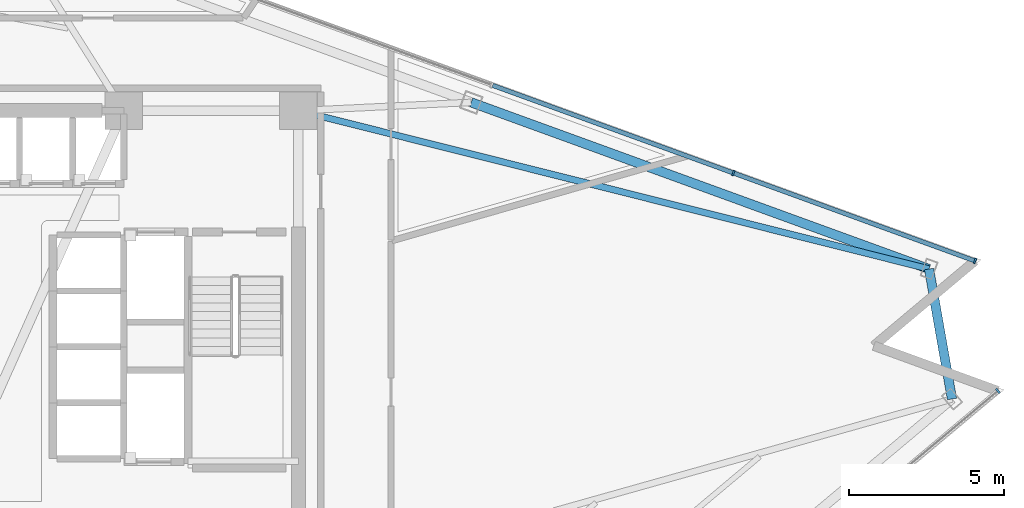
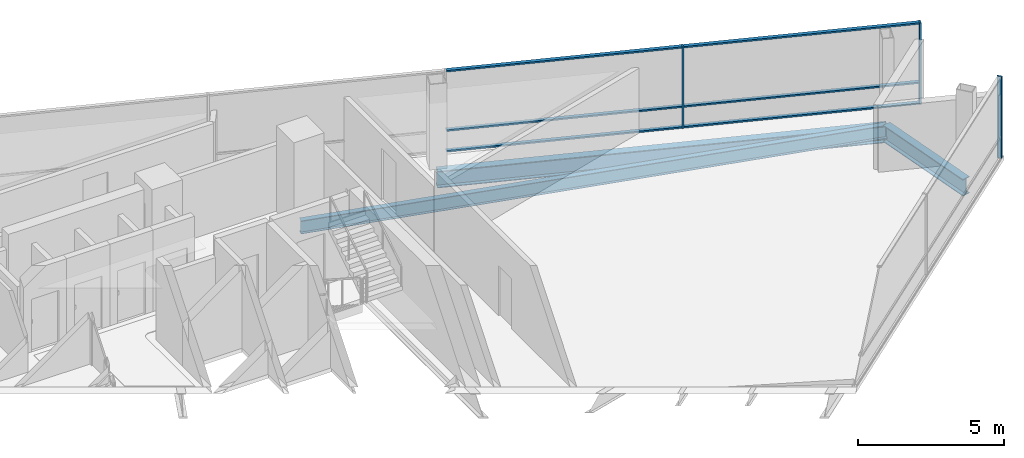
# One storey, part 8 of 15: 9 members, 3 beams, 2 elements without a shape of their own.
"""IFC4 building model written with IfcOpenShell, lengths in metres."""

import ifcopenshell
import ifcopenshell.guid

model = None  # the IFC model being written
_history = None  # IfcOwnerHistory: only IFC2X3 demands one
_inside = {}  # id of a spatial element -> (the spatial element, [elements in it])
_under = {}  # id of a project, library or spatial element -> (it, [spatial elements below it])
_declared = {}  # id of a project -> (the project, [libraries it declares])
_typed = {}  # id of a type object -> (the type object, [elements of that type])
_made_of = {}  # id of a material, layer set ... -> (it, [elements and type objects made of it])


def new_model(schema):
    """Start an empty IFC model of exactly this schema.

    Asked for "IFC4X3", IfcOpenShell would pick the latest addendum, in which some entities
    have other attributes; the version numbers below select the first issue.
    IFC2X3 requires an IfcOwnerHistory on every rooted entity: one is made here for all.
    """
    global model, _history
    if schema == "IFC4X3":
        model = ifcopenshell.file(schema_version=(4, 3, 0, 0))
    else:
        model = ifcopenshell.file(schema=schema)
    _inside.clear()
    _under.clear()
    _declared.clear()
    _typed.clear()
    _made_of.clear()
    _history = None
    if model.schema == "IFC2X3":
        org = make("IfcOrganization", Name="unknown")
        user = make(
            "IfcPersonAndOrganization",
            ThePerson=make("IfcPerson", FamilyName="unknown"),
            TheOrganization=org,
        )
        app = make(
            "IfcApplication",
            ApplicationDeveloper=org,
            Version="unknown",
            ApplicationFullName="unknown",
            ApplicationIdentifier="unknown",
        )
        _history = make(
            "IfcOwnerHistory",
            OwningUser=user,
            OwningApplication=app,
            ChangeAction="ADDED",
            CreationDate=0,
        )
    return model


def make(cls, **values):
    """One entity of the class cls with the attributes given. An attribute that is None is left unset."""
    return model.create_entity(
        cls, **{name: value for name, value in values.items() if value is not None}
    )


def rooted(cls, **values):
    """An entity with a GlobalId (a new one), such as an element, a storey or a relation."""
    return make(cls, GlobalId=ifcopenshell.guid.new(), OwnerHistory=_history, **values)


def si_unit(unit_type, name, prefix=None):
    """IfcSIUnit, for example si_unit("LENGTHUNIT", "METRE", prefix="MILLI")."""
    return make("IfcSIUnit", UnitType=unit_type, Prefix=prefix, Name=name)


def assignment(units):
    """IfcUnitAssignment: the units of a project."""
    return None if units is None else make("IfcUnitAssignment", Units=units)


def point(xyz):
    """IfcCartesianPoint."""
    return None if xyz is None else make("IfcCartesianPoint", Coordinates=xyz)


def direction(xyz):
    """IfcDirection."""
    return None if xyz is None else make("IfcDirection", DirectionRatios=xyz)


def frame(location, z_axis=None, x_axis=None):
    """IfcAxis2Placement3D, a coordinate frame: its origin and axes. An axis left out is left unset."""
    return make(
        "IfcAxis2Placement3D",
        Location=point(location),
        Axis=direction(z_axis),
        RefDirection=direction(x_axis),
    )


def frame_2d(location, x_axis=None):
    """IfcAxis2Placement2D, a coordinate frame in the plane: its origin and x axis."""
    return make(
        "IfcAxis2Placement2D", Location=point(location), RefDirection=direction(x_axis)
    )


def origin():
    """The frame at (0, 0, 0) with its axes left unset."""
    return frame((0.0, 0.0, 0.0))


def origin_2d():
    """The frame at (0, 0) in the plane with its x axis left unset."""
    return frame_2d((0.0, 0.0))


def place(relative_to, where):
    """IfcLocalPlacement: puts the frame where relative to a parent placement (None: the world)."""
    return make(
        "IfcLocalPlacement", PlacementRelTo=relative_to, RelativePlacement=where
    )


def context(
    kind, dimensions, precision=None, world=None, true_north=None, identifier=None
):
    """IfcGeometricRepresentationContext, for example the 3D "Model" context."""
    return make(
        "IfcGeometricRepresentationContext",
        ContextIdentifier=identifier,
        ContextType=kind,
        CoordinateSpaceDimension=dimensions,
        Precision=precision,
        WorldCoordinateSystem=world,
        TrueNorth=true_north,
    )


def subcontext(parent, identifier, kind, view, scale=None):
    """IfcGeometricRepresentationSubContext, for example "Body" below "Model"."""
    return make(
        "IfcGeometricRepresentationSubContext",
        ContextIdentifier=identifier,
        ContextType=kind,
        ParentContext=parent,
        TargetScale=scale,
        TargetView=view,
    )


def project(units=None, contexts=None):
    """IfcProject with its units and contexts."""
    return rooted(
        "IfcProject",
        Name="project",
        RepresentationContexts=contexts,
        UnitsInContext=assignment(units),
    )


def spatial(cls, under=None, at=None, **own):
    """A site, building, storey or space (cls), placed at a placement, below another one or the project."""
    s = rooted(cls, ObjectPlacement=at, **own)
    if under is not None:
        _under.setdefault(under.id(), (under, []))[1].append(s)
    return s


def profile(cls, at=None, kind="AREA", **sizes):
    """A parametric profile (cls). Its sizes go by their IFC names, for example OverallWidth=200.0."""
    return make(cls, ProfileType=kind, Position=at, **sizes)


def rectangle(**sizes):
    """IfcRectangleProfileDef."""
    return profile("IfcRectangleProfileDef", **sizes)


def i_section(**sizes):
    """IfcIShapeProfileDef."""
    return profile("IfcIShapeProfileDef", **sizes)


def extrude(swept, where, along, depth):
    """IfcExtrudedAreaSolid: the profile swept, set in the frame where, extruded along a direction by depth."""
    return make(
        "IfcExtrudedAreaSolid",
        SweptArea=swept,
        Position=where,
        ExtrudedDirection=direction(along),
        Depth=depth,
    )


def shape(context_of_items, identifier, shape_type, items):
    """IfcShapeRepresentation: the items that make up one representation, for example the "Body"."""
    return make(
        "IfcShapeRepresentation",
        ContextOfItems=context_of_items,
        RepresentationIdentifier=identifier,
        RepresentationType=shape_type,
        Items=items,
    )


def material(Name=None, Category=None):
    """IfcMaterial."""
    return make("IfcMaterial", Name=Name, Category=Category)


def layer(
    of_material, thickness, ventilated=None, Name=None, Category=None, Priority=None
):
    """IfcMaterialLayer: one layer of a wall or slab, of a material (None: an air gap)."""
    return make(
        "IfcMaterialLayer",
        Material=of_material,
        LayerThickness=thickness,
        IsVentilated=ventilated,
        Name=Name,
        Category=Category,
        Priority=Priority,
    )


def layer_set(layers, Name=None):
    """IfcMaterialLayerSet."""
    return make("IfcMaterialLayerSet", MaterialLayers=layers, LayerSetName=Name)


def material_profile(
    of_material, cross_section, Name=None, Category=None, Priority=None
):
    """IfcMaterialProfile: a cross section and its material."""
    return make(
        "IfcMaterialProfile",
        Name=Name,
        Material=of_material,
        Profile=cross_section,
        Priority=Priority,
        Category=Category,
    )


def profile_set(profiles, Name=None, composite=None):
    """IfcMaterialProfileSet."""
    return make(
        "IfcMaterialProfileSet",
        Name=Name,
        MaterialProfiles=profiles,
        CompositeProfile=composite,
    )


def made_of(thing, what):
    """Note that an element or type object is made of a material, layer set ...; save() writes the relation."""
    if what is not None:
        _made_of.setdefault(what.id(), (what, []))[1].append(thing)
    return thing


def type_object(cls, material=None, **own):
    """A type object (cls), such as IfcWallType, which elements share."""
    return made_of(rooted(cls, **own), material)


def element(
    cls,
    number,
    at=None,
    inside=None,
    cuts=None,
    type_object=None,
    material=None,
    context=None,
    identifier="Body",
    shape_type=None,
    held_by="IfcProductDefinitionShape",
    body=None,
    shapes=None,
    **own,
):
    """One element of the class cls, such as IfcWall. Its Tag is "e" and its number.

    at: its placement. inside: the storey or other place that contains it. cuts: it is an
    opening in that element (IfcRelVoidsElement). A single representation is given by context,
    identifier, shape_type and body (its items); several are given by shapes. held_by: the class
    of the entity that holds the representations. save() writes the other relations.
    """
    e = rooted(cls, Tag="e%d" % number, ObjectPlacement=at, **own)
    if body is not None:
        shapes = [shape(context, identifier, shape_type, body)]
    if shapes is not None:
        e.Representation = make(held_by, Representations=shapes)
    if inside is not None:
        _inside.setdefault(inside.id(), (inside, []))[1].append(e)
    if cuts is not None:
        rooted(
            "IfcRelVoidsElement", RelatingBuildingElement=cuts, RelatedOpeningElement=e
        )
    if type_object is not None:
        _typed.setdefault(type_object.id(), (type_object, []))[1].append(e)
    return made_of(e, material)


def aggregate(whole, parts):
    """IfcRelAggregates: a whole, such as a stair, and the parts it consists of."""
    return rooted("IfcRelAggregates", RelatingObject=whole, RelatedObjects=parts)


def save(model, path):
    """Write the relations noted so far, then the file.

    IfcRelAggregates (storeys below a building ...), IfcRelContainedInSpatialStructure (elements
    in a storey), IfcRelDefinesByType, IfcRelAssociatesMaterial and IfcRelDeclares: one each for
    every whole, place, type object, material and project.
    """
    for whole, parts in _under.values():
        aggregate(whole, parts)
    for where, things in _inside.values():
        rooted(
            "IfcRelContainedInSpatialStructure",
            RelatedElements=things,
            RelatingStructure=where,
        )
    for kind, things in _typed.values():
        rooted("IfcRelDefinesByType", RelatedObjects=things, RelatingType=kind)
    for what, things in _made_of.values():
        rooted("IfcRelAssociatesMaterial", RelatedObjects=things, RelatingMaterial=what)
    for by, libraries in _declared.values():
        rooted("IfcRelDeclares", RelatingContext=by, RelatedDefinitions=libraries)
    model.write(path)


model = new_model("IFC4")

# Units and contexts
model_context = context("Model", 3, precision=1e-05, world=origin(), true_north=direction((0.0, 1.0)))
body_context = subcontext(model_context, "Body", "Model", "MODEL_VIEW")
ifc_project = project(units=[si_unit("LENGTHUNIT", "METRE"), si_unit("AREAUNIT", "SQUARE_METRE"), si_unit("VOLUMEUNIT", "CUBIC_METRE"), si_unit("PLANEANGLEUNIT", "RADIAN"), si_unit("MASSUNIT", "GRAM", prefix="KILO")], contexts=[model_context])

# Site, building, storey
site_placement = place(None, origin())
site = spatial("IfcSite", under=ifc_project, at=site_placement, CompositionType="ELEMENT")
building_placement = place(site_placement, origin())
building = spatial("IfcBuilding", under=site, at=building_placement, Name="Tharavind Bronze Gate", CompositionType="ELEMENT")
storey_placement = place(building_placement, frame((0.0, 0.0, 174.10009765625)))
storey = spatial("IfcBuildingStorey", under=building, at=storey_placement, Name="L44", CompositionType="ELEMENT", Elevation=174.10009765625)

# Curtain wall, member
ifc_material_1 = material(Name="Anodised Bronze Aluminium", Category="aluminium")
ifc_layer = layer(ifc_material_1, 0.219970703125)
ifc_layer_set = layer_set([ifc_layer], Name="Anodised Bronze Aluminium")
curtain_wall_type = type_object("IfcCurtainWallType", Name="UNITISED CURTAIN WALL MID OFFICE", PredefinedType="USERDEFINED", material=ifc_layer_set)
curtain_wall_1_placement = place(storey_placement, origin())
curtain_wall_1 = element("IfcCurtainWall", 1, at=curtain_wall_1_placement, inside=storey, type_object=curtain_wall_type, Name="L44 unitised curtain wall mid office CW-L44-S2", ObjectType="UNITISED CURTAIN WALL", PredefinedType="USERDEFINED")
member_type_1 = type_object("IfcMemberType", Name="CURTAIN WALL BRONZE MULLION 65X180", PredefinedType="MULLION", material=ifc_material_1)
member_1_placement = place(storey_placement, frame((31.410888671875, -1.418212890625, 0.0), z_axis=(0.0, 0.0, 1.0), x_axis=(0.766043321242, 0.642788946685, 0.0)))
member_1 = element("IfcMember", 2, at=member_1_placement, type_object=member_type_1, Name="CW-L44-S2 mullion 8", PredefinedType="MULLION", context=body_context, shape_type="SweptSolid", body=[
    extrude(rectangle(XDim=0.06494140625, YDim=0.179931640625, at=origin_2d()), origin(), (0.0, 0.0, 1.0), 3.419921875),
])
aggregate(curtain_wall_1, [member_1])

# Curtain wall, members
curtain_wall_2_placement = place(storey_placement, origin())
curtain_wall_2 = element("IfcCurtainWall", 3, at=curtain_wall_2_placement, inside=storey, type_object=curtain_wall_type, Name="L44 unitised curtain wall mid office CW-L44-S3", ObjectType="UNITISED CURTAIN WALL", PredefinedType="USERDEFINED")
member_2_placement = place(storey_placement, frame((30.67333984375, 2.765380859375, 0.0), z_axis=(0.0, 0.0, 1.0), x_axis=(-0.939692023847, 0.342021783398, 0.0)))
member_2 = element("IfcMember", 4, at=member_2_placement, type_object=member_type_1, Name="CW-L44-S3 mullion 1", PredefinedType="MULLION", context=body_context, shape_type="SweptSolid", body=[
    extrude(rectangle(XDim=0.06494140625, YDim=0.179931640625, at=origin_2d()), origin(), (0.0, 0.0, 1.0), 3.419921875),
])
member_3_placement = place(storey_placement, frame((22.89892578125, 5.594970703125, 0.0), z_axis=(0.0, 0.0, 1.0), x_axis=(-0.939692023847, 0.342021783398, 0.0)))
member_3 = element("IfcMember", 5, at=member_3_placement, type_object=member_type_1, Name="CW-L44-S3 mullion 2", PredefinedType="MULLION", context=body_context, shape_type="SweptSolid", body=[
    extrude(rectangle(XDim=0.06494140625, YDim=0.179931640625, at=origin_2d()), origin(), (0.0, 0.0, 1.0), 3.419921875),
])
member_type_2 = type_object("IfcMemberType", Name="CURTAIN WALL BRONZE TRANSOM 65X140", PredefinedType="USERDEFINED", material=ifc_material_1)
member_4_placement = place(storey_placement, frame((26.7861328125, 4.18017578125, 0.0), z_axis=(0.0, 0.0, 1.0), x_axis=(-0.939692023847, 0.342021783398, 0.0)))
member_4 = element("IfcMember", 6, at=member_4_placement, type_object=member_type_2, Name="CW-L44-S3 transom TB1", ObjectType="TRANSOM", PredefinedType="USERDEFINED", context=body_context, shape_type="SweptSolid", body=[
    extrude(rectangle(XDim=8.220458984375, YDim=0.139892578125, at=origin_2d()), origin(), (0.0, 0.0, 1.0), 0.06494140625),
])
member_5_placement = place(storey_placement, frame((26.7861328125, 4.18017578125, 0.867431640625), z_axis=(0.0, 0.0, 1.0), x_axis=(-0.939692023847, 0.342021783398, 0.0)))
member_5 = element("IfcMember", 7, at=member_5_placement, type_object=member_type_2, Name="CW-L44-S3 transom TS1", ObjectType="TRANSOM", PredefinedType="USERDEFINED", context=body_context, shape_type="SweptSolid", body=[
    extrude(rectangle(XDim=8.220458984375, YDim=0.139892578125, at=origin_2d()), origin(), (0.0, 0.0, 1.0), 0.06494140625),
])
member_6_placement = place(storey_placement, frame((26.7861328125, 4.18017578125, 3.35498046875), z_axis=(0.0, 0.0, 1.0), x_axis=(-0.939692023847, 0.342021783398, 0.0)))
member_6 = element("IfcMember", 8, at=member_6_placement, type_object=member_type_2, Name="CW-L44-S3 transom TT1", ObjectType="TRANSOM", PredefinedType="USERDEFINED", context=body_context, shape_type="SweptSolid", body=[
    extrude(rectangle(XDim=8.220458984375, YDim=0.139892578125, at=origin_2d()), origin(), (0.0, 0.0, 1.0), 0.06494140625),
])
member_7_placement = place(storey_placement, frame((19.01171875, 7.009765625, 0.0), z_axis=(0.0, 0.0, 1.0), x_axis=(-0.939692023847, 0.342021783398, 0.0)))
member_7 = element("IfcMember", 9, at=member_7_placement, type_object=member_type_2, Name="CW-L44-S3 transom TB2", ObjectType="TRANSOM", PredefinedType="USERDEFINED", context=body_context, shape_type="SweptSolid", body=[
    extrude(rectangle(XDim=8.220458984375, YDim=0.139892578125, at=origin_2d()), origin(), (0.0, 0.0, 1.0), 0.06494140625),
])
member_8_placement = place(storey_placement, frame((19.01171875, 7.009765625, 0.867431640625), z_axis=(0.0, 0.0, 1.0), x_axis=(-0.939692023847, 0.342021783398, 0.0)))
member_8 = element("IfcMember", 10, at=member_8_placement, type_object=member_type_2, Name="CW-L44-S3 transom TS2", ObjectType="TRANSOM", PredefinedType="USERDEFINED", context=body_context, shape_type="SweptSolid", body=[
    extrude(rectangle(XDim=8.220458984375, YDim=0.139892578125, at=origin_2d()), origin(), (0.0, 0.0, 1.0), 0.06494140625),
])
member_9_placement = place(storey_placement, frame((19.01171875, 7.009765625, 3.35498046875), z_axis=(0.0, 0.0, 1.0), x_axis=(-0.939692023847, 0.342021783398, 0.0)))
member_9 = element("IfcMember", 11, at=member_9_placement, type_object=member_type_2, Name="CW-L44-S3 transom TT2", ObjectType="TRANSOM", PredefinedType="USERDEFINED", context=body_context, shape_type="SweptSolid", body=[
    extrude(rectangle(XDim=8.220458984375, YDim=0.139892578125, at=origin_2d()), origin(), (0.0, 0.0, 1.0), 0.06494140625),
])
aggregate(curtain_wall_2, [member_2, member_3, member_4, member_5, member_6, member_7, member_8, member_9])

# Beams
ifc_material_2 = material(Name="Steel S355", Category="steel")
ifc_material_profile_1 = material_profile(ifc_material_2, i_section(OverallWidth=0.2099609375, OverallDepth=0.550048828125, WebThickness=0.010986328125, FlangeThickness=0.01708984375, at=origin_2d()), Name="IPE550")
ifc_profile_set_1 = profile_set([ifc_material_profile_1], Name="Steel S355")
beam_type_1 = type_object("IfcBeamType", Name="PRIMARY GIRDER IPE550", PredefinedType="USERDEFINED", material=ifc_profile_set_1)
beam_1_placement = place(storey_placement, frame((29.1962890625, 2.5048828125, -0.455078125), z_axis=(-0.969904582273, 0.243485320471, 0.0), x_axis=(-0.243485320471, -0.969904582273, 0.0)))
element("IfcBeam", 12, at=beam_1_placement, inside=storey, type_object=beam_type_1, Name="L44 primary girder ipe550 BM-L44-RAD09", ObjectType="GIRDER", PredefinedType="USERDEFINED", context=body_context, shape_type="SweptSolid", body=[
    extrude(i_section(OverallWidth=0.2099609375, OverallDepth=0.550048828125, WebThickness=0.010986328125, FlangeThickness=0.01708984375, at=origin_2d()), origin(), (0.0, 0.0, 1.0), 20.92626953125),
])
ifc_material_profile_2 = material_profile(ifc_material_2, i_section(OverallWidth=0.300048828125, OverallDepth=0.699951171875, WebThickness=0.01708984375, FlangeThickness=0.031982421875, at=origin_2d()), Name="HE700B")
ifc_profile_set_2 = profile_set([ifc_material_profile_2], Name="Steel S355")
beam_type_2 = type_object("IfcBeamType", Name="RING GIRDER HE700B", PredefinedType="USERDEFINED", material=ifc_profile_set_2)
beam_2_placement = place(storey_placement, frame((29.933837890625, -1.6787109375, -0.530029296875), z_axis=(-0.173618127207, 0.984813051246, 0.0), x_axis=(-0.984813051246, -0.173618127207, 0.0)))
element("IfcBeam", 13, at=beam_2_placement, inside=storey, type_object=beam_type_2, Name="L44 ring girder he700b BM-L44-PRG08", ObjectType="GIRDER", PredefinedType="USERDEFINED", context=body_context, shape_type="SweptSolid", body=[
    extrude(i_section(OverallWidth=0.300048828125, OverallDepth=0.699951171875, WebThickness=0.01708984375, FlangeThickness=0.031982421875, at=origin_2d()), origin(), (0.0, 0.0, 1.0), 4.248046875),
])
beam_3_placement = place(storey_placement, frame((29.1962890625, 2.5048828125, -0.530029296875), z_axis=(-0.939694739877, 0.342014321115, 0.0), x_axis=(-0.342014321115, -0.939694739877, 0.0)))
element("IfcBeam", 14, at=beam_3_placement, inside=storey, type_object=beam_type_2, Name="L44 ring girder he700b BM-L44-PRG09", ObjectType="GIRDER", PredefinedType="USERDEFINED", context=body_context, shape_type="SweptSolid", body=[
    extrude(i_section(OverallWidth=0.300048828125, OverallDepth=0.699951171875, WebThickness=0.01708984375, FlangeThickness=0.031982421875, at=origin_2d()), origin(), (0.0, 0.0, 1.0), 15.6806640625),
])

save(model, "model.ifc")
